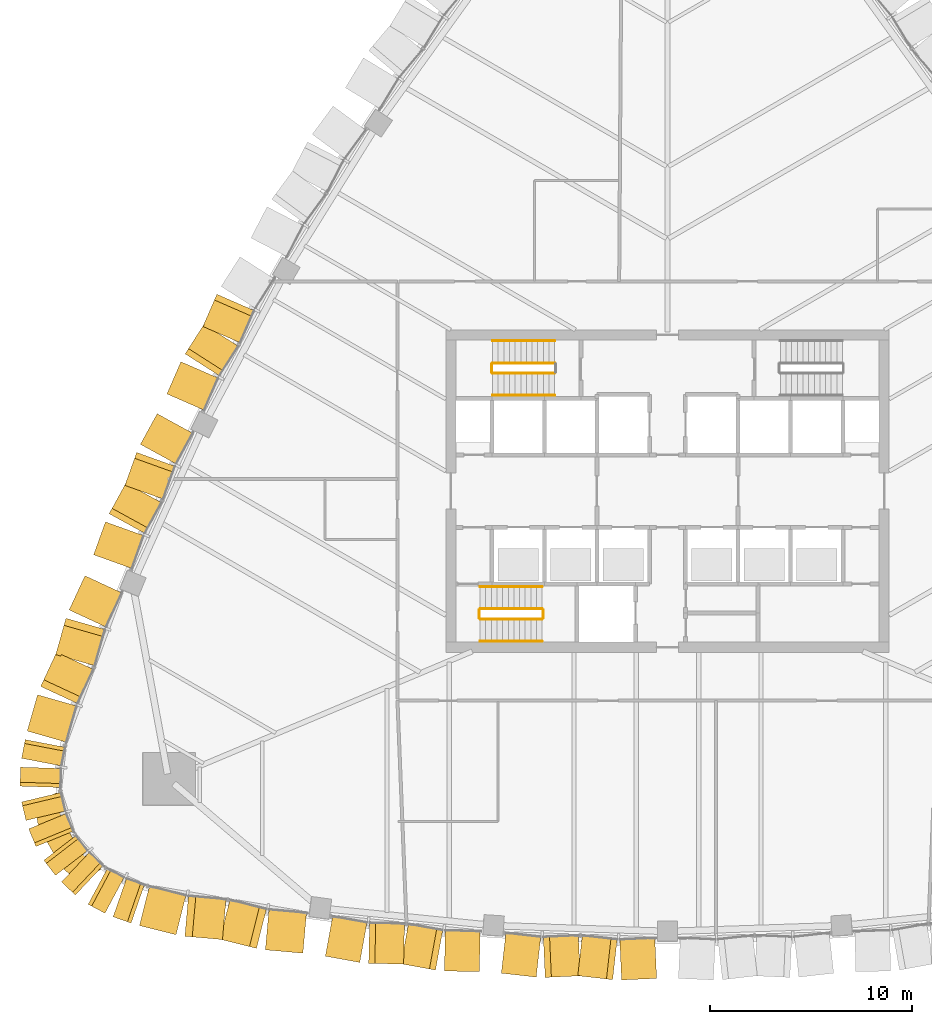
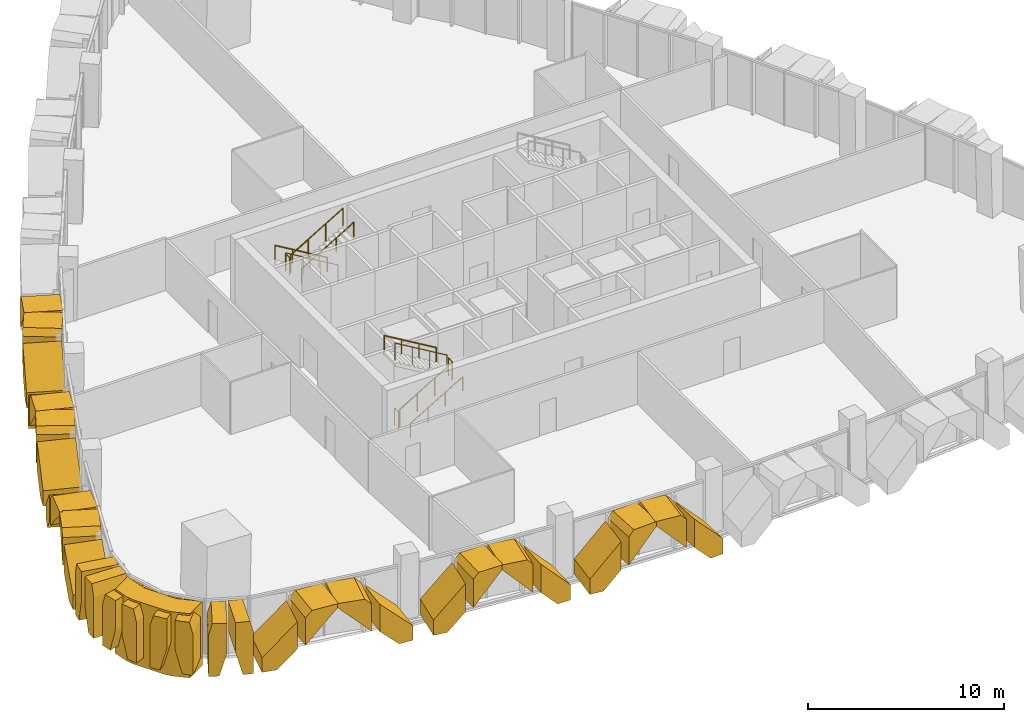
# One storey, part 15 of 18: 32 coverings, 11 railings.
"""IFC4 building model written with IfcOpenShell, lengths in metres."""

from ifc_helpers import new_model, si_unit, direction, frame, origin, origin_2d, place, context, subcontext, project, spatial, polyline, circle, outline, extrude, material, layer, layer_set, type_object, element, save


model = new_model("IFC4")

# Units and contexts
model_context = context("Model", 3, precision=1e-05, world=origin(), true_north=direction((0.0, 1.0)))
body_context = subcontext(model_context, "Body", "Model", "MODEL_VIEW")
ifc_project = project(units=[si_unit("LENGTHUNIT", "METRE"), si_unit("AREAUNIT", "SQUARE_METRE"), si_unit("VOLUMEUNIT", "CUBIC_METRE"), si_unit("PLANEANGLEUNIT", "RADIAN"), si_unit("MASSUNIT", "GRAM", prefix="KILO")], contexts=[model_context])

# Site, building, storey
site_placement = place(None, origin())
site = spatial("IfcSite", under=ifc_project, at=site_placement, CompositionType="ELEMENT")
building_placement = place(site_placement, origin())
building = spatial("IfcBuilding", under=site, at=building_placement, Name="Sierra Prisma Convention Tower", CompositionType="ELEMENT")
storey_placement = place(building_placement, frame((0.0, 0.0, 137.800048828125)))
storey = spatial("IfcBuildingStorey", under=building, at=storey_placement, Name="L29", CompositionType="ELEMENT", Elevation=137.800048828125)

# Coverings
ifc_material_1 = material(Name="Aluminium composite bronze anodised", Category="aluminium")
ifc_layer_1 = layer(ifc_material_1, 1.199951171875)
ifc_layer_set_1 = layer_set([ifc_layer_1], Name="Bronze corner pier")
covering_type_1 = type_object("IfcCoveringType", Name="Bronze corner pier", PredefinedType="CLADDING", material=ifc_layer_set_1)
covering_1_placement = place(storey_placement, frame((0.0, 0.0, -0.60009765625)))
element("IfcCovering", 1, at=covering_1_placement, inside=storey, type_object=covering_type_1, Name="Corner pier SW L29.1", PredefinedType="CLADDING", context=body_context, shape_type="SweptSolid", body=[
    extrude(outline(polyline([(-30.150146484375, -18.50732421875), (-31.10302734375, -16.857177734375), (-31.243408203125, -16.47802734375), (-31.408935546875, -15.593505859375), (-30.30712890625, -14.95751953125), (-30.063720703125, -16.257080078125), (-29.111083984375, -17.907470703125), (-28.107177734375, -18.76806640625), (-29.208984375, -19.404052734375), (-29.89208984375, -18.818359375), (-30.150146484375, -18.50732421875)])), origin(), (0.0, 0.0, 1.0), 4.0),
])
ifc_material_2 = material(Name="Aluminium 6063-T6 bronze anodised", Category="aluminium")
ifc_layer_2 = layer(ifc_material_2, 2.0)
ifc_layer_set_2 = layer_set([ifc_layer_2], Name="Bronze crystal chevron frame")
covering_type_2 = type_object("IfcCoveringType", Name="Bronze crystal chevron frame", PredefinedType="CLADDING", material=ifc_layer_set_2)
covering_2_placement = place(storey_placement, frame((-26.197998046875, -21.558349609375, 0.0), z_axis=(-0.243612929122, -0.969872538398, 5.144618e-06), x_axis=(0.969872538411, -0.243612929125, -8.8e-11)))
element("IfcCovering", 2, at=covering_2_placement, inside=storey, type_object=covering_type_2, Name="CW-2 chevron frame S1.1.1", PredefinedType="CLADDING", context=body_context, shape_type="SweptSolid", body=[
    extrude(outline(polyline([(0.0, 0.0), (0.7876491540476578, 0.0), (1.8710663858137602, 1.0854492189283464), (1.871066385664882, 2.7841796876558664), (-7.970271875002065e-11, 0.9094238281129651), (0.0, 0.0)])), origin(), (0.0, 0.0, -1.0), 2.0),
])
covering_3_placement = place(storey_placement, frame((-23.946044921875, -22.088134765625, 2.91455078125), z_axis=(-0.088859610825, -0.996044160078, -2.7163386e-05), x_axis=(2.413728e-06, 2.7055932e-05, -0.999999999631)))
element("IfcCovering", 3, at=covering_3_placement, inside=storey, type_object=covering_type_2, Name="CW-2 chevron frame S1.1.2", PredefinedType="CLADDING", context=body_context, shape_type="SweptSolid", body=[
    extrude(outline(polyline([(0.0, 0.0), (1.6987304681232962, 0.0), (-0.17578125020481808, 1.8709273612492765), (-0.3654785157598341, 1.8709273612492765), (-0.36547851715320967, 0.3647295017059214), (0.0, 0.0)])), origin(), (0.0, 0.0, -1.0), 2.0),
])
covering_4_placement = place(storey_placement, frame((-22.205078125, -22.233642578125, 3.280029296875), z_axis=(-0.243609124844, -0.969873493952, 4.801766e-06), x_axis=(-1.169754e-06, -4.657105e-06, -0.999999999988)))
element("IfcCovering", 4, at=covering_4_placement, inside=storey, type_object=covering_type_2, Name="CW-2 chevron frame S1.2.1", PredefinedType="CLADDING", context=body_context, shape_type="SweptSolid", body=[
    extrude(outline(polyline([(0.0, 0.0), (0.18969726562281308, 0.0), (2.06420898435963, 1.8710663859163998), (0.3654785156292134, 1.8710663859163998), (-4.354138844472987e-11, 1.506315308231791), (0.0, 0.0)])), origin(), (0.0, 0.0, -1.0), 2.0),
])
covering_5_placement = place(storey_placement, frame((-18.089599609375, -22.9296875, 0.0), z_axis=(-0.088830684858, -0.996046738824, 5.9201894e-05), x_axis=(5.258945e-06, 5.8967853e-05, 0.999999998248)))
element("IfcCovering", 5, at=covering_5_placement, inside=storey, type_object=covering_type_2, Name="CW-2 chevron frame S1.2.2", PredefinedType="CLADDING", context=body_context, shape_type="SweptSolid", body=[
    extrude(outline(polyline([(0.0, 0.0), (0.9094238265312965, 0.0), (2.784179686425266, 1.8709273601720373), (1.0854492206521762, 1.8709273601720373), (-9.141226660162962e-09, 0.7877685058851803), (0.0, 0.0)])), origin(), (0.0, 0.0, -1.0), 2.0),
])
covering_6_placement = place(storey_placement, frame((-16.9755859375, -23.078369140625, 0.0), z_axis=(-0.17818566224, -0.983996884988, -1.0263425e-05), x_axis=(0.98399688504, -0.17818566225, -3.76e-10)))
element("IfcCovering", 6, at=covering_6_placement, inside=storey, type_object=covering_type_2, Name="CW-2 chevron frame S2.1.1", PredefinedType="CLADDING", context=body_context, shape_type="SweptSolid", body=[
    extrude(outline(polyline([(0.0, 0.0), (0.7592151672629553, 2.117582368135751e-22), (1.7345471850852683, 1.0488281257070116), (1.7345471844230123, 2.811279297489185), (-3.5539267398495155e-10, 0.9458007812001857), (0.0, 0.0)])), origin(), (0.0, 0.0, -1.0), 2.0),
])
covering_7_placement = place(storey_placement, frame((-14.82763671875, -23.431884765625, 2.951171875), z_axis=(-0.021950125632, -0.999759065514, -5.391387e-05), x_axis=(1.183416e-06, 5.3900881e-05, -0.999999998547)))
element("IfcCovering", 7, at=covering_7_placement, inside=storey, type_object=covering_type_2, Name="CW-2 chevron frame S2.1.2", PredefinedType="CLADDING", context=body_context, shape_type="SweptSolid", body=[
    extrude(outline(polyline([(0.0, 0.0), (1.762451169313537, 3.7321355262626917e-22), (-0.10302734455615659, 1.734304959278657), (-0.32885742235294585, 1.734304959278657), (-0.32885742813229374, 0.305740467617592), (0.0, 0.0)])), origin(), (0.0, 0.0, -1.0), 2.0),
])
covering_8_placement = place(storey_placement, frame((-13.21728515625, -23.45751953125, 3.280029296875), z_axis=(-0.178199284081, -0.983994413952, 9.2006189e-05), x_axis=(-1.6395437e-05, -9.0533576e-05, -0.999999995767)))
element("IfcCovering", 8, at=covering_8_placement, inside=storey, type_object=covering_type_2, Name="CW-2 chevron frame S2.2.1", PredefinedType="CLADDING", context=body_context, shape_type="SweptSolid", body=[
    extrude(outline(polyline([(0.0, 0.0), (0.2258300771691585, 7.651420666115506e-22), (2.091308587682215, 1.7343069524499428), (0.32885742326691186, 1.7343069524499428), (-1.6831076758516374e-08, 1.4285946079864458), (0.0, 0.0)])), origin(), (0.0, 0.0, -1.0), 2.0),
])
covering_9_placement = place(storey_placement, frame((-9.33544921875, -23.84912109375, 0.0), z_axis=(-0.021944138804, -0.999759198158, 2.1698555e-05), x_axis=(4.76156e-07, 2.169333e-05, 0.999999999765)))
element("IfcCovering", 9, at=covering_9_placement, inside=storey, type_object=covering_type_2, Name="CW-2 chevron frame S2.2.2", PredefinedType="CLADDING", context=body_context, shape_type="SweptSolid", body=[
    extrude(outline(polyline([(0.0, 0.0), (0.9458007810273457, -5.0070276453600456e-23), (2.8112792967070037, 1.734549040976934), (1.0488281252469087, 1.734549040976934), (-1.2751188742073468e-09, 0.7592147337020639), (0.0, 0.0)])), origin(), (0.0, 0.0, -1.0), 2.0),
])
covering_10_placement = place(storey_placement, frame((-8.24609375, -23.921875, 0.0), z_axis=(-0.11179352973, -0.993731455356, -3.6690323e-05), x_axis=(0.993731456025, -0.111793529805, -4.78e-09)))
element("IfcCovering", 10, at=covering_10_placement, inside=storey, type_object=covering_type_2, Name="CW-2 chevron frame S3.1.1", PredefinedType="CLADDING", context=body_context, shape_type="SweptSolid", body=[
    extrude(outline(polyline([(0.0, 0.0), (0.760861930586385, 4.235164736271502e-22), (1.7423717534989311, 1.0512695402861363), (1.7423717450942529, 2.809570320352641), (-4.509258092089046e-09, 0.9433593743650343), (0.0, 0.0)])), origin(), (0.0, 0.0, -1.0), 2.0),
])
covering_11_placement = place(storey_placement, frame((-6.071533203125, -24.131591796875, 2.94873046875), z_axis=(0.04511888619, -0.998981624332, -1.884709e-05), x_axis=(-8.5036e-07, 1.8827896e-05, -0.999999999822)))
element("IfcCovering", 11, at=covering_11_placement, inside=storey, type_object=covering_type_2, Name="CW-2 chevron frame S3.1.2", PredefinedType="CLADDING", context=body_context, shape_type="SweptSolid", body=[
    extrude(outline(polyline([(0.0, 0.0), (1.7583007809377145, 0.0), (-0.10791015634851606, 1.7424968906520206), (-0.3312988281838408, 1.7424968906520206), (-0.3312988288877623, 0.3093951448102297), (0.0, 0.0)])), origin(), (0.0, 0.0, -1.0), 2.0),
])
covering_12_placement = place(storey_placement, frame((-4.454833984375, -24.048828125, 3.280029296875), z_axis=(-0.111829033778, -0.99372745866, -7.1477924e-05), x_axis=(7.993307e-06, 7.1029576e-05, -0.999999997445)))
element("IfcCovering", 12, at=covering_12_placement, inside=storey, type_object=covering_type_2, Name="CW-2 chevron frame S3.2.1", PredefinedType="CLADDING", context=body_context, shape_type="SweptSolid", body=[
    extrude(outline(polyline([(0.0, 0.0), (0.22338867130434317, 7.568702604860203e-22), (2.089599605729657, 1.7423717587900127), (0.3312988289713184, 1.7423717587900127), (-1.0124637072557292e-08, 1.4330771378300213), (0.0, 0.0)])), origin(), (0.0, 0.0, -1.0), 2.0),
])
covering_13_placement = place(storey_placement, frame((-0.53955078125, -24.18017578125, 0.0), z_axis=(0.044966388196, -0.998988500287, -1.5086102e-05), x_axis=(6.78368e-07, -1.5070842e-05, 0.999999999886)))
element("IfcCovering", 13, at=covering_13_placement, inside=storey, type_object=covering_type_2, Name="CW-2 chevron frame S3.2.2", PredefinedType="CLADDING", context=body_context, shape_type="SweptSolid", body=[
    extrude(outline(polyline([(0.0, 0.0), (0.9433593748926502, 9.988205896577809e-23), (2.809570312419543, 1.7424858931804388), (1.0512695313696294, 1.7424858931804388), (-6.14872096691241e-10, 0.761021846824916), (0.0, 0.0)])), origin(), (0.0, 0.0, -1.0), 2.0),
])
covering_14_placement = place(storey_placement, frame((-22.357421875, 9.76318359375, 2.94873046875), z_axis=(-0.916502969797, 0.400027881203, -2.4766267e-05), x_axis=(2.2698357e-05, -9.907197e-06, -0.999999999693)))
element("IfcCovering", 14, at=covering_14_placement, inside=storey, type_object=covering_type_2, Name="CW-2 chevron frame NW4.1.2", PredefinedType="CLADDING", context=body_context, shape_type="SweptSolid", body=[
    extrude(outline(polyline([(0.0, 0.0), (1.7583007807107573, 2.9786773858034527e-21), (-0.10791015642011378, 1.7424134590981588), (-0.33129882822660406, 1.7424134590981588), (-0.3312988294421089, 0.30929543068673415), (0.0, 0.0)])), origin(), (0.0, 0.0, -1.0), 2.0),
])
covering_15_placement = place(storey_placement, frame((-22.995849609375, 8.27587890625, 3.280029296875), z_axis=(-0.842590140294, 0.538555340141, 3.2928283e-05), x_axis=(-2.7745046e-05, 1.7733702e-05, -0.999999999458)))
element("IfcCovering", 15, at=covering_15_placement, inside=storey, type_object=covering_type_2, Name="CW-2 chevron frame NW4.2.1", PredefinedType="CLADDING", context=body_context, shape_type="SweptSolid", body=[
    extrude(outline(polyline([(0.0, 0.0), (0.223388671753893, 7.568702604860203e-22), (2.089599608601371, 1.7425644128667126), (0.331298828304609, 1.7425644128667126), (-2.148689987081651e-09, 1.4330625652500133), (0.0, 0.0)])), origin(), (0.0, 0.0, -1.0), 2.0),
])
covering_16_placement = place(storey_placement, frame((-24.840087890625, 4.819580078125, 0.0), z_axis=(-0.916493910121, 0.400048636827, -2.9730629e-05), x_axis=(-2.7247941e-05, 1.1893698e-05, 0.999999999558)))
element("IfcCovering", 16, at=covering_16_placement, inside=storey, type_object=covering_type_2, Name="CW-2 chevron frame NW4.2.2", PredefinedType="CLADDING", context=body_context, shape_type="SweptSolid", body=[
    extrude(outline(polyline([(0.0, 0.0), (0.9433593745830775, -1.5981129434524495e-21), (2.8095703121875237, 1.7424134588371567), (1.0512695317146141, 1.7424134588371567), (-2.3880252807967616e-09, 0.760831850294494), (0.0, 0.0)])), origin(), (0.0, 0.0, -1.0), 2.0),
])
covering_17_placement = place(storey_placement, frame((-25.32177734375, 3.83984375, 0.0), z_axis=(-0.876816372307, 0.480825382171, -3.338507e-05), x_axis=(-0.480825382438, -0.876816372796, -3.976e-09)))
element("IfcCovering", 17, at=covering_17_placement, inside=storey, type_object=covering_type_2, Name="CW-2 chevron frame NW5.1.1", PredefinedType="CLADDING", context=body_context, shape_type="SweptSolid", body=[
    extrude(outline(polyline([(0.0, 0.0), (0.7592559070702734, 0.0), (1.7344210633486268, 1.0488281324799011), (1.734421056341781, 2.8112793033727197), (-3.760149680363083e-09, 0.9458007807229227), (0.0, 0.0)])), origin(), (0.0, 0.0, -1.0), 2.0),
])
covering_18_placement = place(storey_placement, frame((-26.337646484375, 1.914794921875, 2.951171875), z_axis=(-0.941214353654, 0.337809917328, 1.5195547e-05), x_axis=(-1.4302267e-05, 5.133206e-06, -0.999999999885)))
element("IfcCovering", 18, at=covering_18_placement, inside=storey, type_object=covering_type_2, Name="CW-2 chevron frame NW5.1.2", PredefinedType="CLADDING", context=body_context, shape_type="SweptSolid", body=[
    extrude(outline(polyline([(0.0, 0.0), (1.762451171671521, -1.4928542105050767e-21), (-0.10302734381403995, 1.7345322717994198), (-0.32885742191296735, 1.7345322717994198), (-0.3288574223720707, 0.3058069624346169), (0.0, 0.0)])), origin(), (0.0, 0.0, -1.0), 2.0),
])
covering_19_placement = place(storey_placement, frame((-26.87255859375, 0.3955078125, 3.280029296875), z_axis=(-0.876814039323, 0.480829630846, 8.09115e-05), x_axis=(-7.0944339e-05, 3.8904647e-05, -0.999999996727)))
element("IfcCovering", 19, at=covering_19_placement, inside=storey, type_object=covering_type_2, Name="CW-2 chevron frame NW5.2.1", PredefinedType="CLADDING", context=body_context, shape_type="SweptSolid", body=[
    extrude(outline(polyline([(0.0, 0.0), (0.22583007738578242, 0.0), (2.091308589057367, 1.7344210676677214), (0.32885742295146064, 1.7344210676677214), (-1.3016622799336597e-08, 1.4285904801000489), (0.0, 0.0)])), origin(), (0.0, 0.0, -1.0), 2.0),
])
covering_20_placement = place(storey_placement, frame((-28.474365234375, -3.161865234375, 0.0), z_axis=(-0.941194415343, 0.337865464297, -2.371915e-05), x_axis=(-2.2324331e-05, 8.013882e-06, 0.999999999719)))
element("IfcCovering", 20, at=covering_20_placement, inside=storey, type_object=covering_type_2, Name="CW-2 chevron frame NW5.2.2", PredefinedType="CLADDING", context=body_context, shape_type="SweptSolid", body=[
    extrude(outline(polyline([(0.0, 0.0), (0.9458007809839472, 8.011244232576073e-22), (2.811279296674259, 1.7343024846909398), (1.0488281252950344, 1.7343024846909398), (-1.5236573049916372e-09, 0.7592706683495656), (0.0, 0.0)])), origin(), (0.0, 0.0, -1.0), 2.0),
])
covering_21_placement = place(storey_placement, frame((-28.902587890625, -4.201171875, 0.0), z_axis=(-0.907028394206, 0.42106946136, -2.852051e-05), x_axis=(-0.421069461532, -0.907028394575, -2.694e-09)))
element("IfcCovering", 21, at=covering_21_placement, inside=storey, type_object=covering_type_2, Name="CW-2 chevron frame NW6.1.1", PredefinedType="CLADDING", context=body_context, shape_type="SweptSolid", body=[
    extrude(outline(polyline([(0.0, 0.0), (0.7875433133024081, 0.0), (1.8709827907903211, 1.0854492242316098), (1.8709827862141961, 2.78417969229072), (-2.449851363652127e-09, 0.9094238277551285), (0.0, 0.0)])), origin(), (0.0, 0.0, -1.0), 2.0),
])
covering_22_placement = place(storey_placement, frame((-29.844970703125, -6.31396484375, 2.91455078125), z_axis=(-0.961755181686, 0.273910515487, -2.422993e-06), x_axis=(2.330326e-06, -6.63683e-07, -0.999999999997)))
element("IfcCovering", 22, at=covering_22_placement, inside=storey, type_object=covering_type_2, Name="CW-2 chevron frame NW6.1.2", PredefinedType="CLADDING", context=body_context, shape_type="SweptSolid", body=[
    extrude(outline(polyline([(0.0, 0.0), (1.6987304687450135, 0.0), (-0.17578125000162967, 1.87086764185917), (-0.3654785156260728, 1.87086764185917), (-0.3654785156371596, 0.3645287699559547), (0.0, 0.0)])), origin(), (0.0, 0.0, -1.0), 2.0),
])
covering_23_placement = place(storey_placement, frame((-30.314208984375, -7.996826171875, 3.280029296875), z_axis=(-0.907020939927, 0.421085519223, -5.925838e-06), x_axis=(5.374859e-06, -2.495284e-06, -0.999999999982)))
element("IfcCovering", 23, at=covering_23_placement, inside=storey, type_object=covering_type_2, Name="CW-2 chevron frame NW6.2.1", PredefinedType="CLADDING", context=body_context, shape_type="SweptSolid", body=[
    extrude(outline(polyline([(0.0, 0.0), (0.18969726562166936, 8.033991699421281e-23), (2.064208984351591, 1.8709827939692194), (0.365478515631417, 1.8709827939692194), (-6.631318388099873e-11, 1.506266933320239), (0.0, 0.0)])), origin(), (0.0, 0.0, -1.0), 2.0),
])
covering_24_placement = place(storey_placement, frame((-31.76904296875, -11.908935546875, 0.0), z_axis=(-0.961751941447, 0.273921891677, -1.9571877e-05), x_axis=(-1.8823291e-05, 5.361166e-06, 0.999999999808)))
element("IfcCovering", 24, at=covering_24_placement, inside=storey, type_object=covering_type_2, Name="CW-2 chevron frame NW6.2.2", PredefinedType="CLADDING", context=body_context, shape_type="SweptSolid", body=[
    extrude(outline(polyline([(0.0, 0.0), (0.9094238279508189, -7.70311945440007e-22), (2.784179687382539, 1.870867641738762), (1.0854492189578955, 1.870867641738762), (-9.990753499556875e-10, 0.7877107488209008), (0.0, 0.0)])), origin(), (0.0, 0.0, -1.0), 2.0),
])
covering_25_placement = place(storey_placement, frame((-31.86962890625, -12.331787109375, 0.0), z_axis=(-0.982103219794, 0.188343477499, -1.2397833e-05), x_axis=(-0.188343477513, -0.98210321987, 8.6e-10)))
element("IfcCovering", 25, at=covering_25_placement, inside=storey, type_object=covering_type_2, Name="CW-2 chevron frame SW1.1.1", PredefinedType="CLADDING", context=body_context, shape_type="SweptSolid", body=[
    extrude(outline(polyline([(0.0, 0.0), (0.5610741438010013, 0.0), (0.9436469431884918, 1.4318847647615967), (0.9436469447783856, 3.280029295869561), (0.19516379498529965, 3.280029297810908), (2.193087387472513e-09, 2.5493164060540767), (0.0, 0.0)])), origin(), (0.0, 0.0, -1.0), 2.0),
])
covering_26_placement = place(storey_placement, frame((-32.0966796875, -13.69921875, 3.280029296875), z_axis=(-0.999477705969, 0.032315861096, 1.9789532e-05), x_axis=(-1.9779196e-05, 6.39516e-07, -0.999999999804)))
element("IfcCovering", 26, at=covering_26_placement, inside=storey, type_object=covering_type_2, Name="CW-2 chevron frame SW1.1.2", PredefinedType="CLADDING", context=body_context, shape_type="SweptSolid", body=[
    extrude(outline(polyline([(0.0, 0.0), (1.8481445308881097, -1.956799136570756e-22), (3.280029298004532, 0.38252690350851914), (3.2800292967088263, 0.9436088529184303), (0.7307128909580148, 0.9436088529184303), (-3.261480407931133e-10, 0.7484372465671996), (0.0, 0.0)])), origin(), (0.0, 0.0, -1.0), 2.0),
])
covering_27_placement = place(storey_placement, frame((-32.04833984375, -15.424560546875, 0.0), z_axis=(-0.972873398193, -0.231338174322, -1.3742683e-05), x_axis=(0.231338174344, -0.972873398285, -1.773e-09)))
element("IfcCovering", 27, at=covering_27_placement, inside=storey, type_object=covering_type_2, Name="CW-2 chevron frame SW2.1.1", PredefinedType="CLADDING", context=body_context, shape_type="SweptSolid", body=[
    extrude(outline(polyline([(0.0, 0.0), (0.5611369207316736, 2.117582368135751e-22), (0.9435596423386111, 1.4318847674400317), (0.9435596390622725, 3.2800292985155104), (0.1952375591558623, 3.2800292969097695), (-4.5193564389238085e-09, 2.549316406009267), (0.0, 0.0)])), origin(), (0.0, 0.0, -1.0), 2.0),
])
covering_28_placement = place(storey_placement, frame((-31.69384765625, -16.7646484375, 3.280029296875), z_axis=(-0.924653168465, -0.38081034357, -1.6689674e-05), x_axis=(1.543216e-05, 6.3556e-06, -0.999999999861)))
element("IfcCovering", 28, at=covering_28_placement, inside=storey, type_object=covering_type_2, Name="CW-2 chevron frame SW2.1.2", PredefinedType="CLADDING", context=body_context, shape_type="SweptSolid", body=[
    extrude(outline(polyline([(0.0, 0.0), (1.8481445309926041, 0.0), (3.280029297329895, 0.38260893955925374), (3.280029296716836, 0.9436677857338156), (0.7307128908218858, 0.9436677857338156), (-5.959797659782113e-10, 0.7482599489261745), (0.0, 0.0)])), origin(), (0.0, 0.0, -1.0), 2.0),
])
covering_29_placement = place(storey_placement, frame((-30.94140625, -18.31787109375, 0.0), z_axis=(-0.792162356783, -0.610310412984, -1.7306221e-05), x_axis=(0.610310413076, -0.792162356901, -2.15e-10)))
element("IfcCovering", 29, at=covering_29_placement, inside=storey, type_object=covering_type_2, Name="CW-2 chevron frame SW3.1.1", PredefinedType="CLADDING", context=body_context, shape_type="SweptSolid", body=[
    extrude(outline(polyline([(0.0, 0.0), (0.5612287991851592, 0.0), (0.9436824707074657, 1.4318847658645544), (0.943682470310588, 3.2800292968377893), (0.19532773754181165, 3.2800292979534476), (-5.474500152552094e-10, 2.549316405868233), (0.0, 0.0)])), origin(), (0.0, 0.0, -1.0), 2.0),
])
covering_30_placement = place(storey_placement, frame((-30.068115234375, -19.394287109375, 3.280029296875), z_axis=(-0.686908620747, -0.726743797127, 9.03842e-06), x_axis=(-6.208568e-06, -6.568615e-06, -0.999999999959)))
element("IfcCovering", 30, at=covering_30_placement, inside=storey, type_object=covering_type_2, Name="CW-2 chevron frame SW3.1.2", PredefinedType="CLADDING", context=body_context, shape_type="SweptSolid", body=[
    extrude(outline(polyline([(0.0, 0.0), (1.84814453117451, 0.0), (3.280029295830575, 0.3825378078405256), (3.280029296693504, 0.9436439732347031), (0.7307128905476344, 0.9436439732347031), (-1.4050021880551173e-09, 0.7483222233387089), (0.0, 0.0)])), origin(), (0.0, 0.0, -1.0), 2.0),
])
covering_31_placement = place(storey_placement, frame((-28.744140625, -20.501953125, 0.0), z_axis=(-0.471464797791, -0.881884881584, -8.823459e-06), x_axis=(0.881884881618, -0.471464797809, -4.08e-10)))
element("IfcCovering", 31, at=covering_31_placement, inside=storey, type_object=covering_type_2, Name="CW-2 chevron frame SW4.1.1", PredefinedType="CLADDING", context=body_context, shape_type="SweptSolid", body=[
    extrude(outline(polyline([(0.0, 0.0), (0.5608630727992719, 4.235164736271502e-22), (0.9434747401775886, 1.431884766045611), (0.9434747394226526, 3.280029297223669), (0.1951833654362601, 3.2800292970164384), (-1.0413528421917207e-09, 2.549316406150764), (0.0, 0.0)])), origin(), (0.0, 0.0, -1.0), 2.0),
])
covering_32_placement = place(storey_placement, frame((-27.505859375, -21.124755859375, 3.280029296875), z_axis=(-0.327882439408, -0.944718532341, -2.406168e-05), x_axis=(7.889402e-06, 2.2731515e-05, -0.999999999711)))
element("IfcCovering", 32, at=covering_32_placement, inside=storey, type_object=covering_type_2, Name="CW-2 chevron frame SW4.1.2", PredefinedType="CLADDING", context=body_context, shape_type="SweptSolid", body=[
    extrude(outline(polyline([(0.0, 0.0), (1.848144530714995, 1.5654393092566049e-21), (3.2800292995993794, 0.38241873040398167), (3.2800292967502944, 0.9435044954654194), (0.7307128912382762, 0.9435044954654194), (6.192799953524332e-10, 0.7483951958380168), (0.0, 0.0)])), origin(), (0.0, 0.0, -1.0), 2.0),
])

# Railings
ifc_material_3 = material(Name="Stainless steel", Category="steel")
railing_type_1 = type_object("IfcRailingType", Name="Exit stair handrail", PredefinedType="HANDRAIL", material=ifc_material_3)
railing_1_placement = place(storey_placement, frame((-9.300048828125, -7.449951171875, 0.16650390625)))
element("IfcRailing", 33, at=railing_1_placement, inside=storey, type_object=railing_type_1, Name="L29 S1 stair handrail 1", PredefinedType="HANDRAIL", context=body_context, shape_type="SweptSolid", body=[
    extrude(circle(Radius=0.02392578125, at=origin_2d()), frame((0.0, 0.0, 0.8759765625), z_axis=(0.85927862911, 0.0, 0.511507807912), x_axis=(0.0, 1.0, 0.0)), (0.0, 0.0, 1.0), 3.58447265625),
    extrude(circle(Radius=0.02099609375, at=origin_2d()), origin(), (0.0, 0.0, 1.0), 0.851806640625),
    extrude(circle(Radius=0.02099609375, at=origin_2d()), frame((1.026611328125, 0.0, 0.611083984375)), (0.0, 0.0, 1.0), 0.851806640625),
    extrude(circle(Radius=0.02099609375, at=origin_2d()), frame((2.053466796875, 0.0, 1.222412109375)), (0.0, 0.0, 1.0), 0.851806640625),
    extrude(circle(Radius=0.02099609375, at=origin_2d()), frame((3.080078125, 0.0, 1.83349609375)), (0.0, 0.0, 1.0), 0.851806640625),
])
railing_2_placement = place(storey_placement, frame((-6.219970703125, -4.75, 2.16650390625)))
element("IfcRailing", 34, at=railing_2_placement, inside=storey, type_object=railing_type_1, Name="L29 S1 stair handrail 2", PredefinedType="HANDRAIL", context=body_context, shape_type="SweptSolid", body=[
    extrude(circle(Radius=0.02392578125, at=origin_2d()), frame((0.0, 0.0, 0.8759765625), z_axis=(-0.85927862911, 0.0, 0.511507807912), x_axis=(0.0, -1.0, 0.0)), (0.0, 0.0, 1.0), 3.58447265625),
    extrude(circle(Radius=0.02099609375, at=origin_2d()), origin(), (0.0, 0.0, 1.0), 0.851806640625),
    extrude(circle(Radius=0.02099609375, at=origin_2d()), frame((-1.026611328125, 0.0, 0.611083984375)), (0.0, 0.0, 1.0), 0.851806640625),
    extrude(circle(Radius=0.02099609375, at=origin_2d()), frame((-2.053466796875, 0.0, 1.222412109375)), (0.0, 0.0, 1.0), 0.851806640625),
    extrude(circle(Radius=0.02099609375, at=origin_2d()), frame((-3.080078125, 0.0, 1.83349609375)), (0.0, 0.0, 1.0), 0.851806640625),
])
railing_3_placement = place(storey_placement, frame((-5.60009765625, 7.449951171875, 0.16650390625)))
element("IfcRailing", 35, at=railing_3_placement, inside=storey, type_object=railing_type_1, Name="L29 S3 stair handrail 1", PredefinedType="HANDRAIL", context=body_context, shape_type="SweptSolid", body=[
    extrude(circle(Radius=0.02392578125, at=origin_2d()), frame((0.0, 0.0, 0.8759765625), z_axis=(-0.859260807169, 0.0, 0.511537745687), x_axis=(0.0, -1.0, 0.0)), (0.0, 0.0, 1.0), 3.584228515625),
    extrude(circle(Radius=0.02099609375, at=origin_2d()), origin(), (0.0, 0.0, 1.0), 0.851806640625),
    extrude(circle(Radius=0.02099609375, at=origin_2d()), frame((-1.026611328125, 0.0, 0.611083984375)), (0.0, 0.0, 1.0), 0.851806640625),
    extrude(circle(Radius=0.02099609375, at=origin_2d()), frame((-2.05322265625, 0.0, 1.222412109375)), (0.0, 0.0, 1.0), 0.851806640625),
    extrude(circle(Radius=0.02099609375, at=origin_2d()), frame((-3.079833984375, 0.0, 1.83349609375)), (0.0, 0.0, 1.0), 0.851806640625),
])
railing_4_placement = place(storey_placement, frame((-8.679931640625, 4.75, 2.16650390625)))
element("IfcRailing", 36, at=railing_4_placement, inside=storey, type_object=railing_type_1, Name="L29 S3 stair handrail 2", PredefinedType="HANDRAIL", context=body_context, shape_type="SweptSolid", body=[
    extrude(circle(Radius=0.02392578125, at=origin_2d()), frame((0.0, 0.0, 0.8759765625), z_axis=(0.859260807169, 0.0, 0.511537745687), x_axis=(0.0, 1.0, 0.0)), (0.0, 0.0, 1.0), 3.584228515625),
    extrude(circle(Radius=0.02099609375, at=origin_2d()), origin(), (0.0, 0.0, 1.0), 0.851806640625),
    extrude(circle(Radius=0.02099609375, at=origin_2d()), frame((1.026611328125, 0.0, 0.611083984375)), (0.0, 0.0, 1.0), 0.851806640625),
    extrude(circle(Radius=0.02099609375, at=origin_2d()), frame((2.05322265625, 0.0, 1.222412109375)), (0.0, 0.0, 1.0), 0.851806640625),
    extrude(circle(Radius=0.02099609375, at=origin_2d()), frame((3.079833984375, 0.0, 1.83349609375)), (0.0, 0.0, 1.0), 0.851806640625),
])
ifc_material_4 = material(Name="Stainless steel", Category="steel")
railing_type_2 = type_object("IfcRailingType", Name="Stair guard 1100", PredefinedType="GUARDRAIL", material=ifc_material_4)
railing_5_placement = place(storey_placement, frame((-9.300048828125, -6.35009765625, 0.16650390625)))
element("IfcRailing", 37, at=railing_5_placement, inside=storey, type_object=railing_type_2, Name="L29 S1 stair guard 1", PredefinedType="GUARDRAIL", context=body_context, shape_type="SweptSolid", body=[
    extrude(circle(Radius=0.02392578125, at=origin_2d()), frame((0.0, 0.0, 1.076171875), z_axis=(0.85927862911, 0.0, 0.511507807912), x_axis=(0.0, 1.0, 0.0)), (0.0, 0.0, 1.0), 3.58447265625),
    extrude(circle(Radius=0.02099609375, at=origin_2d()), origin(), (0.0, 0.0, 1.0), 1.052001953125),
    extrude(circle(Radius=0.02099609375, at=origin_2d()), frame((1.026611328125, 0.0, 0.611083984375)), (0.0, 0.0, 1.0), 1.052001953125),
    extrude(circle(Radius=0.02099609375, at=origin_2d()), frame((2.053466796875, 0.0, 1.222412109375)), (0.0, 0.0, 1.0), 1.052001953125),
    extrude(circle(Radius=0.02099609375, at=origin_2d()), frame((3.080078125, 0.0, 1.83349609375)), (0.0, 0.0, 1.0), 1.052001953125),
])
railing_6_placement = place(storey_placement, frame((-6.169921875, -6.300048828125, 2.0)))
element("IfcRailing", 38, at=railing_6_placement, inside=storey, type_object=railing_type_2, Name="L29 S1 stair guard 2", PredefinedType="GUARDRAIL", context=body_context, shape_type="SweptSolid", body=[
    extrude(circle(Radius=0.02392578125, at=origin_2d()), frame((0.0, 0.0, 1.076171875), z_axis=(0.0, 1.0, 0.0), x_axis=(-1.0, 0.0, 0.0)), (0.0, 0.0, 1.0), 0.400146484375),
    extrude(circle(Radius=0.02099609375, at=origin_2d()), origin(), (0.0, 0.0, 1.0), 1.052001953125),
    extrude(circle(Radius=0.02099609375, at=origin_2d()), frame((0.0, 0.400146484375, 0.0)), (0.0, 0.0, 1.0), 1.052001953125),
])
railing_7_placement = place(storey_placement, frame((-6.219970703125, -5.85009765625, 2.16650390625)))
element("IfcRailing", 39, at=railing_7_placement, inside=storey, type_object=railing_type_2, Name="L29 S1 stair guard 3", PredefinedType="GUARDRAIL", context=body_context, shape_type="SweptSolid", body=[
    extrude(circle(Radius=0.02392578125, at=origin_2d()), frame((0.0, 0.0, 1.076171875), z_axis=(-0.85927862911, 0.0, 0.511507807912), x_axis=(0.0, -1.0, 0.0)), (0.0, 0.0, 1.0), 3.58447265625),
    extrude(circle(Radius=0.02099609375, at=origin_2d()), origin(), (0.0, 0.0, 1.0), 1.052001953125),
    extrude(circle(Radius=0.02099609375, at=origin_2d()), frame((-1.026611328125, 0.0, 0.611083984375)), (0.0, 0.0, 1.0), 1.052001953125),
    extrude(circle(Radius=0.02099609375, at=origin_2d()), frame((-2.053466796875, 0.0, 1.222412109375)), (0.0, 0.0, 1.0), 1.052001953125),
    extrude(circle(Radius=0.02099609375, at=origin_2d()), frame((-3.080078125, 0.0, 1.83349609375)), (0.0, 0.0, 1.0), 1.052001953125),
])
railing_8_placement = place(storey_placement, frame((-9.35009765625, -6.300048828125, 0.0)))
element("IfcRailing", 40, at=railing_8_placement, inside=storey, type_object=railing_type_2, Name="L29 S1 stair guard 4", PredefinedType="GUARDRAIL", context=body_context, shape_type="SweptSolid", body=[
    extrude(circle(Radius=0.02392578125, at=origin_2d()), frame((0.0, 0.0, 1.076171875), z_axis=(0.0, 1.0, 0.0), x_axis=(-1.0, 0.0, 0.0)), (0.0, 0.0, 1.0), 0.400146484375),
    extrude(circle(Radius=0.02099609375, at=origin_2d()), origin(), (0.0, 0.0, 1.0), 1.052001953125),
    extrude(circle(Radius=0.02099609375, at=origin_2d()), frame((0.0, 0.400146484375, 0.0)), (0.0, 0.0, 1.0), 1.052001953125),
])
railing_9_placement = place(storey_placement, frame((-5.60009765625, 6.35009765625, 0.16650390625)))
element("IfcRailing", 41, at=railing_9_placement, inside=storey, type_object=railing_type_2, Name="L29 S3 stair guard 1", PredefinedType="GUARDRAIL", context=body_context, shape_type="SweptSolid", body=[
    extrude(circle(Radius=0.02392578125, at=origin_2d()), frame((0.0, 0.0, 1.076171875), z_axis=(-0.859260807169, 0.0, 0.511537745687), x_axis=(0.0, -1.0, 0.0)), (0.0, 0.0, 1.0), 3.584228515625),
    extrude(circle(Radius=0.02099609375, at=origin_2d()), origin(), (0.0, 0.0, 1.0), 1.052001953125),
    extrude(circle(Radius=0.02099609375, at=origin_2d()), frame((-1.026611328125, 0.0, 0.611083984375)), (0.0, 0.0, 1.0), 1.052001953125),
    extrude(circle(Radius=0.02099609375, at=origin_2d()), frame((-2.05322265625, 0.0, 1.222412109375)), (0.0, 0.0, 1.0), 1.052001953125),
    extrude(circle(Radius=0.02099609375, at=origin_2d()), frame((-3.079833984375, 0.0, 1.83349609375)), (0.0, 0.0, 1.0), 1.052001953125),
])
railing_10_placement = place(storey_placement, frame((-8.72998046875, 6.300048828125, 2.0)))
element("IfcRailing", 42, at=railing_10_placement, inside=storey, type_object=railing_type_2, Name="L29 S3 stair guard 2", PredefinedType="GUARDRAIL", context=body_context, shape_type="SweptSolid", body=[
    extrude(circle(Radius=0.02392578125, at=origin_2d()), frame((0.0, 0.0, 1.076171875), z_axis=(0.0, -1.0, 0.0), x_axis=(1.0, 0.0, 0.0)), (0.0, 0.0, 1.0), 0.400146484375),
    extrude(circle(Radius=0.02099609375, at=origin_2d()), origin(), (0.0, 0.0, 1.0), 1.052001953125),
    extrude(circle(Radius=0.02099609375, at=origin_2d()), frame((0.0, -0.400146484375, 0.0)), (0.0, 0.0, 1.0), 1.052001953125),
])
railing_11_placement = place(storey_placement, frame((-8.679931640625, 5.85009765625, 2.16650390625)))
element("IfcRailing", 43, at=railing_11_placement, inside=storey, type_object=railing_type_2, Name="L29 S3 stair guard 3", PredefinedType="GUARDRAIL", context=body_context, shape_type="SweptSolid", body=[
    extrude(circle(Radius=0.02392578125, at=origin_2d()), frame((0.0, 0.0, 1.076171875), z_axis=(0.859260807169, 0.0, 0.511537745687), x_axis=(0.0, 1.0, 0.0)), (0.0, 0.0, 1.0), 3.584228515625),
    extrude(circle(Radius=0.02099609375, at=origin_2d()), origin(), (0.0, 0.0, 1.0), 1.052001953125),
    extrude(circle(Radius=0.02099609375, at=origin_2d()), frame((1.026611328125, 0.0, 0.611083984375)), (0.0, 0.0, 1.0), 1.052001953125),
    extrude(circle(Radius=0.02099609375, at=origin_2d()), frame((2.05322265625, 0.0, 1.222412109375)), (0.0, 0.0, 1.0), 1.052001953125),
    extrude(circle(Radius=0.02099609375, at=origin_2d()), frame((3.079833984375, 0.0, 1.83349609375)), (0.0, 0.0, 1.0), 1.052001953125),
])

save(model, "model.ifc")
